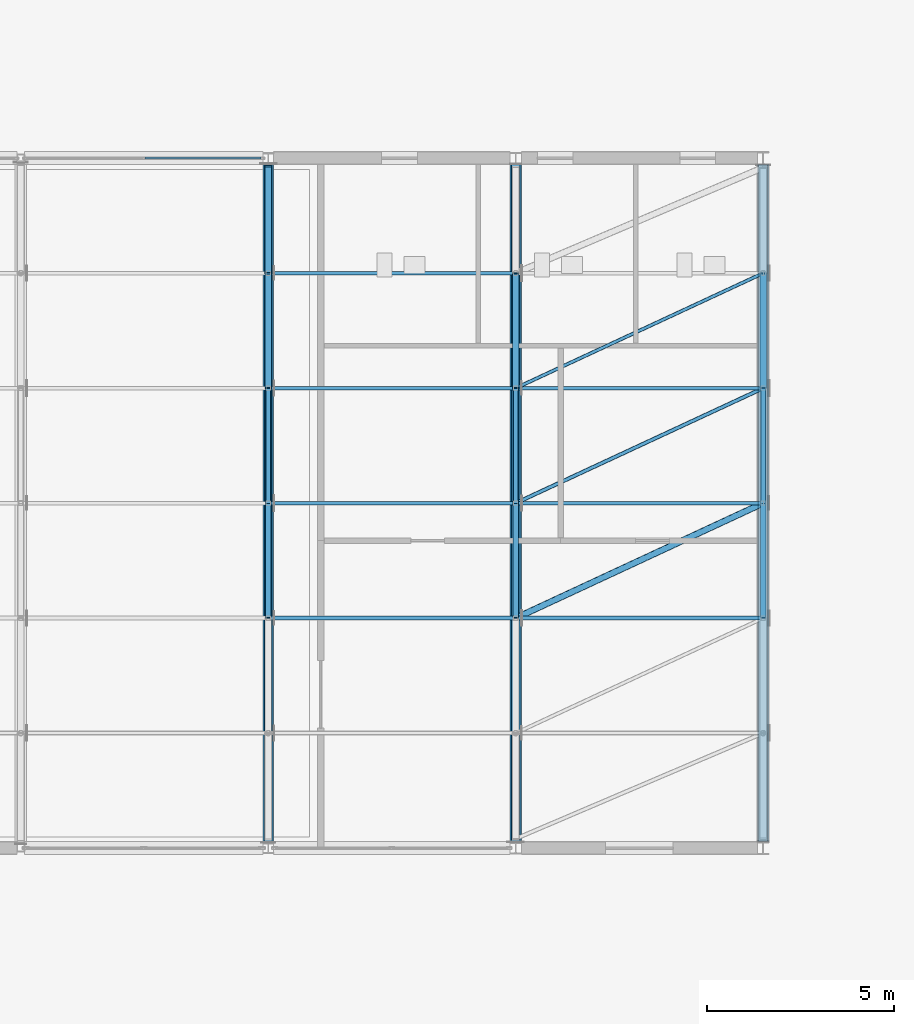
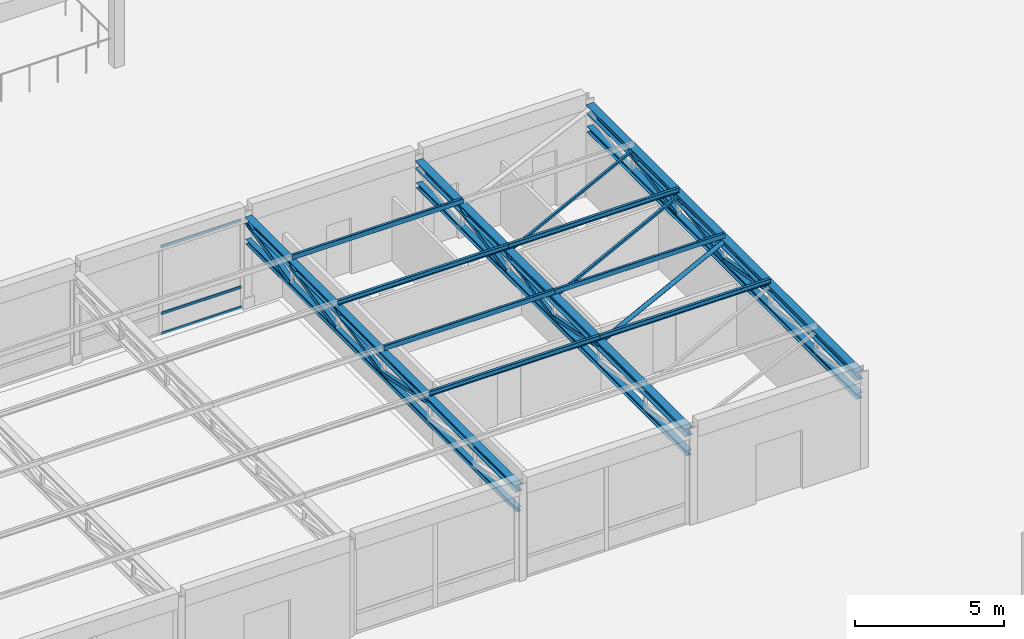
# One storey, part 28 of 92: 23 members, 6 beams, 1 element without a shape of its own.
"""IFC4 building model written with IfcOpenShell, lengths in metres."""

from ifc_helpers import new_model, si_unit, direction, frame, origin, origin_2d, place, context, subcontext, project, spatial, hollow_rectangle, hollow_circle, i_section, extrude, material, material_profile, profile_set, type_object, element, aggregate, save


model = new_model("IFC4")

# Units and contexts
model_context = context("Model", 3, precision=1e-05, world=origin(), true_north=direction((0.0, 1.0)))
body_context = subcontext(model_context, "Body", "Model", "MODEL_VIEW")
ifc_project = project(units=[si_unit("LENGTHUNIT", "METRE"), si_unit("AREAUNIT", "SQUARE_METRE"), si_unit("VOLUMEUNIT", "CUBIC_METRE"), si_unit("PLANEANGLEUNIT", "RADIAN"), si_unit("MASSUNIT", "GRAM", prefix="KILO")], contexts=[model_context])

# Site, building, storey
site_placement = place(None, origin())
site = spatial("IfcSite", under=ifc_project, at=site_placement, CompositionType="ELEMENT")
building_placement = place(site_placement, origin())
building = spatial("IfcBuilding", under=site, at=building_placement, Name="Kernevlak Ridge Housing Community", CompositionType="ELEMENT")
storey_placement = place(building_placement, frame((0.0, 0.0, 4.199951171875)))
storey = spatial("IfcBuildingStorey", under=building, at=storey_placement, Name="L01", CompositionType="ELEMENT", Elevation=4.199951171875)

# Members
ifc_material_1 = material(Name="Steel S355", Category="steel")
ifc_material_profile_1 = material_profile(ifc_material_1, hollow_rectangle(XDim=0.199951171875, YDim=0.199951171875, WallThickness=0.010009765625, InnerFilletRadius=0.010009765625, OuterFilletRadius=0.014892578125, at=origin_2d()), Name="SHS 200x200x10")
ifc_profile_set_1 = profile_set([ifc_material_profile_1], Name="Steel S355")
member_type_1 = type_object("IfcMemberType", Name="BR-01", PredefinedType="BRACE", material=ifc_profile_set_1)
member_1_placement = place(storey_placement, frame((90.60009765625, 65.13330078125, 2.844970703125), z_axis=(0.0, 0.975277256909, 0.220984778109), x_axis=(-1.0, 0.0, 0.0)))
element("IfcMember", 1, at=member_1_placement, inside=storey, type_object=member_type_1, Name="Community Hall roof truss 5 web diagonal 6", PredefinedType="BRACE", context=body_context, shape_type="SweptSolid", body=[
    extrude(hollow_rectangle(XDim=0.199951171875, YDim=0.199951171875, WallThickness=0.010009765625, InnerFilletRadius=0.010009765625, OuterFilletRadius=0.014892578125, at=origin_2d()), origin(), (0.0, 0.0, 1.0), 2.9189453125),
])
ifc_material_profile_2 = material_profile(ifc_material_1, hollow_rectangle(XDim=0.179931640625, YDim=0.179931640625, WallThickness=0.010009765625, InnerFilletRadius=0.010009765625, OuterFilletRadius=0.014892578125, at=origin_2d()), Name="SHS 180x180x10")
ifc_profile_set_2 = profile_set([ifc_material_profile_2], Name="Steel S355")
member_type_2 = type_object("IfcMemberType", Name="BR-02", PredefinedType="BRACE", material=ifc_profile_set_2)
member_2_placement = place(storey_placement, frame((90.60009765625, 62.066650390625, 2.844970703125), z_axis=(0.0, 0.978587791815, 0.205829865932), x_axis=(-1.0, 0.0, 0.0)))
element("IfcMember", 2, at=member_2_placement, inside=storey, type_object=member_type_2, Name="Community Hall roof truss 5 web diagonal 5", PredefinedType="BRACE", context=body_context, shape_type="SweptSolid", body=[
    extrude(hollow_rectangle(XDim=0.179931640625, YDim=0.179931640625, WallThickness=0.010009765625, InnerFilletRadius=0.010009765625, OuterFilletRadius=0.014892578125, at=origin_2d()), origin(), (0.0, 0.0, 1.0), 3.1337890625),
])
member_3_placement = place(storey_placement, frame((97.199951171875, 62.066650390625, 2.85498046875), z_axis=(0.0, 0.981694621235, 0.190461730113), x_axis=(-1.0, 0.0, 0.0)))
element("IfcMember", 3, at=member_3_placement, inside=storey, type_object=member_type_2, Name="Community Hall roof truss 6 web diagonal 5", PredefinedType="BRACE", context=body_context, shape_type="SweptSolid", body=[
    extrude(hollow_rectangle(XDim=0.179931640625, YDim=0.179931640625, WallThickness=0.010009765625, InnerFilletRadius=0.010009765625, OuterFilletRadius=0.014892578125, at=origin_2d()), origin(), (0.0, 0.0, 1.0), 3.123779296875),
])
member_4_placement = place(storey_placement, frame((103.800048828125, 62.066650390625, 2.864990234375), z_axis=(0.0, 0.984563408291, 0.175028269303), x_axis=(-1.0, 0.0, 0.0)))
element("IfcMember", 4, at=member_4_placement, inside=storey, type_object=member_type_2, Name="Community Hall roof truss 7 web diagonal 5", PredefinedType="BRACE", context=body_context, shape_type="SweptSolid", body=[
    extrude(hollow_rectangle(XDim=0.179931640625, YDim=0.179931640625, WallThickness=0.010009765625, InnerFilletRadius=0.010009765625, OuterFilletRadius=0.014892578125, at=origin_2d()), origin(), (0.0, 0.0, 1.0), 3.11474609375),
])
ifc_material_profile_3 = material_profile(ifc_material_1, hollow_rectangle(XDim=0.14990234375, YDim=0.14990234375, WallThickness=0.008056640625, InnerFilletRadius=0.008056640625, OuterFilletRadius=0.011962890625, at=origin_2d()), Name="SHS 150x150x8")
ifc_profile_set_3 = profile_set([ifc_material_profile_3], Name="Steel S355")
member_type_3 = type_object("IfcMemberType", Name="BR-03", PredefinedType="BRACE", material=ifc_profile_set_3)
member_5_placement = place(storey_placement, frame((90.60009765625, 55.933349609375, 3.489990234375), z_axis=(0.0, 0.978587791815, -0.205829865932), x_axis=(-1.0, 0.0, 0.0)))
element("IfcMember", 5, at=member_5_placement, inside=storey, type_object=member_type_3, Name="Community Hall roof truss 5 web diagonal 3", PredefinedType="BRACE", context=body_context, shape_type="SweptSolid", body=[
    extrude(hollow_rectangle(XDim=0.14990234375, YDim=0.14990234375, WallThickness=0.008056640625, InnerFilletRadius=0.008056640625, OuterFilletRadius=0.011962890625, at=origin_2d()), origin(), (0.0, 0.0, 1.0), 3.1337890625),
])
member_6_placement = place(storey_placement, frame((97.199951171875, 55.933349609375, 3.449951171875), z_axis=(0.0, 0.981694621235, -0.190461730113), x_axis=(-1.0, 0.0, 0.0)))
element("IfcMember", 6, at=member_6_placement, inside=storey, type_object=member_type_3, Name="Community Hall roof truss 6 web diagonal 3", PredefinedType="BRACE", context=body_context, shape_type="SweptSolid", body=[
    extrude(hollow_rectangle(XDim=0.14990234375, YDim=0.14990234375, WallThickness=0.008056640625, InnerFilletRadius=0.008056640625, OuterFilletRadius=0.011962890625, at=origin_2d()), origin(), (0.0, 0.0, 1.0), 3.123779296875),
])
member_7_placement = place(storey_placement, frame((103.800048828125, 55.933349609375, 3.41015625), z_axis=(0.0, 0.984563408291, -0.175028269303), x_axis=(-1.0, 0.0, 0.0)))
element("IfcMember", 7, at=member_7_placement, inside=storey, type_object=member_type_3, Name="Community Hall roof truss 7 web diagonal 3", PredefinedType="BRACE", context=body_context, shape_type="SweptSolid", body=[
    extrude(hollow_rectangle(XDim=0.14990234375, YDim=0.14990234375, WallThickness=0.008056640625, InnerFilletRadius=0.008056640625, OuterFilletRadius=0.011962890625, at=origin_2d()), origin(), (0.0, 0.0, 1.0), 3.11474609375),
])
ifc_material_profile_4 = material_profile(ifc_material_1, hollow_rectangle(XDim=0.139892578125, YDim=0.139892578125, WallThickness=0.008056640625, InnerFilletRadius=0.008056640625, OuterFilletRadius=0.011962890625, at=origin_2d()), Name="SHS 140x140x8")
ifc_profile_set_4 = profile_set([ifc_material_profile_4], Name="Steel S355")
member_type_4 = type_object("IfcMemberType", Name="BR-04", PredefinedType="BRACE", material=ifc_profile_set_4)
member_8_placement = place(storey_placement, frame((90.60009765625, 59.0, 2.844970703125), z_axis=(0.0, 0.978587791815, 0.205829865932), x_axis=(-1.0, 0.0, 0.0)))
element("IfcMember", 8, at=member_8_placement, inside=storey, type_object=member_type_4, Name="Community Hall roof truss 5 web diagonal 4", PredefinedType="BRACE", context=body_context, shape_type="SweptSolid", body=[
    extrude(hollow_rectangle(XDim=0.139892578125, YDim=0.139892578125, WallThickness=0.008056640625, InnerFilletRadius=0.008056640625, OuterFilletRadius=0.011962890625, at=origin_2d()), origin(), (0.0, 0.0, 1.0), 3.1337890625),
])
member_9_placement = place(storey_placement, frame((97.199951171875, 59.0, 2.85498046875), z_axis=(0.0, 0.981694621235, 0.190461730113), x_axis=(-1.0, 0.0, 0.0)))
element("IfcMember", 9, at=member_9_placement, inside=storey, type_object=member_type_4, Name="Community Hall roof truss 6 web diagonal 4", PredefinedType="BRACE", context=body_context, shape_type="SweptSolid", body=[
    extrude(hollow_rectangle(XDim=0.139892578125, YDim=0.139892578125, WallThickness=0.008056640625, InnerFilletRadius=0.008056640625, OuterFilletRadius=0.011962890625, at=origin_2d()), origin(), (0.0, 0.0, 1.0), 3.123779296875),
])
member_10_placement = place(storey_placement, frame((103.800048828125, 59.0, 2.864990234375), z_axis=(0.0, 0.984563408291, 0.175028269303), x_axis=(-1.0, 0.0, 0.0)))
element("IfcMember", 10, at=member_10_placement, inside=storey, type_object=member_type_4, Name="Community Hall roof truss 7 web diagonal 4", PredefinedType="BRACE", context=body_context, shape_type="SweptSolid", body=[
    extrude(hollow_rectangle(XDim=0.139892578125, YDim=0.139892578125, WallThickness=0.008056640625, InnerFilletRadius=0.008056640625, OuterFilletRadius=0.011962890625, at=origin_2d()), origin(), (0.0, 0.0, 1.0), 3.11474609375),
])
ifc_material_profile_5 = material_profile(ifc_material_1, hollow_rectangle(XDim=0.10009765625, YDim=0.10009765625, WallThickness=0.006103515625, InnerFilletRadius=0.006103515625, OuterFilletRadius=0.009033203125, at=origin_2d()), Name="SHS 100x100x6")
ifc_profile_set_5 = profile_set([ifc_material_profile_5], Name="Steel S355")
member_type_5 = type_object("IfcMemberType", Name="BR-06", PredefinedType="BRACE", material=ifc_profile_set_5)
member_11_placement = place(storey_placement, frame((97.199951171875, 59.0, 3.625), z_axis=(0.906887206183, 0.42137346293, 0.0), x_axis=(-0.42137346293, 0.906887206183, 0.0)))
element("IfcMember", 11, at=member_11_placement, inside=storey, type_object=member_type_5, Name="Roof lateral wind brace 6.4", PredefinedType="BRACE", context=body_context, shape_type="SweptSolid", body=[
    extrude(hollow_rectangle(XDim=0.10009765625, YDim=0.10009765625, WallThickness=0.006103515625, InnerFilletRadius=0.006103515625, OuterFilletRadius=0.009033203125, at=origin_2d()), origin(), (0.0, 0.0, 1.0), 7.27783203125),
])
ifc_material_profile_6 = material_profile(ifc_material_1, hollow_rectangle(XDim=0.090087890625, YDim=0.090087890625, WallThickness=0.0048828125, InnerFilletRadius=0.0048828125, OuterFilletRadius=0.007568359375, at=origin_2d()), Name="SHS 90x90x5")
ifc_profile_set_6 = profile_set([ifc_material_profile_6], Name="Steel S355")
member_type_6 = type_object("IfcMemberType", Name="BR-07", PredefinedType="BRACE", material=ifc_profile_set_6)
member_12_placement = place(storey_placement, frame((97.199951171875, 62.066650390625, 3.625), z_axis=(0.906887206183, 0.42137346293, 0.0), x_axis=(-0.42137346293, 0.906887206183, 0.0)))
element("IfcMember", 12, at=member_12_placement, inside=storey, type_object=member_type_6, Name="Roof lateral wind brace 6.5", PredefinedType="BRACE", context=body_context, shape_type="SweptSolid", body=[
    extrude(hollow_rectangle(XDim=0.090087890625, YDim=0.090087890625, WallThickness=0.0048828125, InnerFilletRadius=0.0048828125, OuterFilletRadius=0.007568359375, at=origin_2d()), origin(), (0.0, 0.0, 1.0), 7.27783203125),
])
ifc_material_profile_7 = material_profile(ifc_material_1, hollow_circle(Radius=0.084228515625, WallThickness=0.008056640625, at=origin_2d()), Name="CHS 168.3x8")
ifc_profile_set_7 = profile_set([ifc_material_profile_7], Name="Steel S355")
member_type_7 = type_object("IfcMemberType", Name="BR-08", PredefinedType="BRACE", material=ifc_profile_set_7)
member_13_placement = place(storey_placement, frame((97.199951171875, 55.933349609375, 3.625), z_axis=(0.906887206183, 0.42137346293, 0.0), x_axis=(-0.42137346293, 0.906887206183, 0.0)))
element("IfcMember", 13, at=member_13_placement, inside=storey, type_object=member_type_7, Name="Roof lateral wind brace 6.3", PredefinedType="BRACE", context=body_context, shape_type="SweptSolid", body=[
    extrude(hollow_circle(Radius=0.084228515625, WallThickness=0.008056640625, at=origin_2d()), origin(), (0.0, 0.0, 1.0), 7.27783203125),
])
ifc_material_profile_8 = material_profile(ifc_material_1, i_section(OverallWidth=0.10009765625, OverallDepth=0.199951171875, WebThickness=0.005615234375, FlangeThickness=0.008544921875, FilletRadius=0.011962890625, at=origin_2d()), Name="IPE 200")
ifc_profile_set_8 = profile_set([ifc_material_profile_8], Name="Steel S355")
member_type_8 = type_object("IfcMemberType", Name="PU-01", PredefinedType="PURLIN", material=ifc_profile_set_8)
for number, where, z_axis, x_axis, name in (
    (14, (90.60009765625, 55.933349609375, 3.860107421875), (1.0, 0.0, 0.0), (0.0, 1.0, 0.0), "Community Hall steel roof purlin 5.3"),
    (15, (90.60009765625, 62.066650390625, 3.860107421875), (1.0, 0.0, 0.0), (0.0, 1.0, 0.0), "Community Hall steel roof purlin 5.5"),
):
    element("IfcMember", number, at=place(storey_placement, frame(where, z_axis=z_axis, x_axis=x_axis)), inside=storey, type_object=member_type_8, Name=name, PredefinedType="PURLIN", context=body_context, shape_type="SweptSolid", body=[
        extrude(i_section(OverallWidth=0.10009765625, OverallDepth=0.199951171875, WebThickness=0.005615234375, FlangeThickness=0.008544921875, FilletRadius=0.011962890625, at=origin_2d()), origin(), (0.0, 0.0, 1.0), 6.599853515625),
    ])
for number, where, z_axis, x_axis, name in (
    (16, (97.199951171875, 55.933349609375, 3.860107421875), (1.0, 0.0, 0.0), (0.0, 1.0, 0.0), "Community Hall steel roof purlin 6.3"),
    (17, (97.199951171875, 62.066650390625, 3.860107421875), (1.0, 0.0, 0.0), (0.0, 1.0, 0.0), "Community Hall steel roof purlin 6.5"),
):
    element("IfcMember", number, at=place(storey_placement, frame(where, z_axis=z_axis, x_axis=x_axis)), inside=storey, type_object=member_type_8, Name=name, PredefinedType="PURLIN", context=body_context, shape_type="SweptSolid", body=[
        extrude(i_section(OverallWidth=0.10009765625, OverallDepth=0.199951171875, WebThickness=0.005615234375, FlangeThickness=0.008544921875, FilletRadius=0.011962890625, at=origin_2d()), origin(), (0.0, 0.0, 1.0), 6.60009765625),
    ])
ifc_material_profile_9 = material_profile(ifc_material_1, hollow_rectangle(XDim=0.10009765625, YDim=0.199951171875, WallThickness=0.008056640625, InnerFilletRadius=0.008056640625, OuterFilletRadius=0.011962890625, at=origin_2d()), Name="RHS 200x100x8")
ifc_profile_set_9 = profile_set([ifc_material_profile_9], Name="Steel S355")
member_type_9 = type_object("IfcMemberType", Name="PU-05", PredefinedType="PURLIN", material=ifc_profile_set_9)
for number, where, z_axis, x_axis, name in (
    (18, (90.60009765625, 59.0, 3.860107421875), (1.0, 0.0, 0.0), (0.0, 1.0, 0.0), "Community Hall steel roof purlin 5.4"),
    (19, (90.60009765625, 65.13330078125, 3.860107421875), (1.0, 0.0, 0.0), (0.0, 1.0, 0.0), "Community Hall steel roof purlin 5.6"),
):
    element("IfcMember", number, at=place(storey_placement, frame(where, z_axis=z_axis, x_axis=x_axis)), inside=storey, type_object=member_type_9, Name=name, PredefinedType="PURLIN", context=body_context, shape_type="SweptSolid", body=[
        extrude(hollow_rectangle(XDim=0.10009765625, YDim=0.199951171875, WallThickness=0.008056640625, InnerFilletRadius=0.008056640625, OuterFilletRadius=0.011962890625, at=origin_2d()), origin(), (0.0, 0.0, 1.0), 6.599853515625),
    ])
member_14_placement = place(storey_placement, frame((97.199951171875, 59.0, 3.860107421875), z_axis=(1.0, 0.0, 0.0), x_axis=(0.0, 1.0, 0.0)))
element("IfcMember", 20, at=member_14_placement, inside=storey, type_object=member_type_9, Name="Community Hall steel roof purlin 6.4", PredefinedType="PURLIN", context=body_context, shape_type="SweptSolid", body=[
    extrude(hollow_rectangle(XDim=0.10009765625, YDim=0.199951171875, WallThickness=0.008056640625, InnerFilletRadius=0.008056640625, OuterFilletRadius=0.011962890625, at=origin_2d()), origin(), (0.0, 0.0, 1.0), 6.60009765625),
])

# Beams
ifc_material_profile_10 = material_profile(ifc_material_1, i_section(OverallWidth=0.300048828125, OverallDepth=0.35009765625, WebThickness=0.010009765625, FlangeThickness=0.017578125, FilletRadius=0.027099609375, at=origin_2d()), Name="HEA 360")
ifc_profile_set_10 = profile_set([ifc_material_profile_10], Name="Steel S355")
beam_type_1 = type_object("IfcBeamType", Name="TC-01", PredefinedType="BEAM", material=ifc_profile_set_10)
beam_1_placement = place(storey_placement, frame((103.800048828125, 49.969970703125, 3.5849609375), z_axis=(0.0, 1.0, 0.0), x_axis=(-1.0, 0.0, 0.0)))
element("IfcBeam", 21, at=beam_1_placement, inside=storey, type_object=beam_type_1, Name="Community Hall roof truss 7 top chord", PredefinedType="BEAM", context=body_context, shape_type="SweptSolid", body=[
    extrude(i_section(OverallWidth=0.300048828125, OverallDepth=0.35009765625, WebThickness=0.010009765625, FlangeThickness=0.017578125, FilletRadius=0.027099609375, at=origin_2d()), origin(), (0.0, 0.0, 1.0), 18.06005859375),
])
ifc_material_profile_11 = material_profile(ifc_material_1, i_section(OverallWidth=0.300048828125, OverallDepth=0.31005859375, WebThickness=0.009033203125, FlangeThickness=0.015380859375, FilletRadius=0.027099609375, at=origin_2d()), Name="HEA 320")
ifc_profile_set_11 = profile_set([ifc_material_profile_11], Name="Steel S355")
beam_type_2 = type_object("IfcBeamType", Name="TC-02", PredefinedType="BEAM", material=ifc_profile_set_11)
beam_2_placement = place(storey_placement, frame((97.199951171875, 49.949951171875, 3.60498046875), z_axis=(0.0, 1.0, 0.0), x_axis=(-1.0, 0.0, 0.0)))
element("IfcBeam", 22, at=beam_2_placement, inside=storey, type_object=beam_type_2, Name="Community Hall roof truss 6 top chord", PredefinedType="BEAM", context=body_context, shape_type="SweptSolid", body=[
    extrude(i_section(OverallWidth=0.300048828125, OverallDepth=0.31005859375, WebThickness=0.009033203125, FlangeThickness=0.015380859375, FilletRadius=0.027099609375, at=origin_2d()), origin(), (0.0, 0.0, 1.0), 18.10009765625),
])
ifc_material_profile_12 = material_profile(ifc_material_1, i_section(OverallWidth=0.280029296875, OverallDepth=0.27001953125, WebThickness=0.008056640625, FlangeThickness=0.012939453125, FilletRadius=0.02392578125, at=origin_2d()), Name="HEA 280")
ifc_profile_set_12 = profile_set([ifc_material_profile_12], Name="Steel S355")
beam_type_3 = type_object("IfcBeamType", Name="TC-03", PredefinedType="BEAM", material=ifc_profile_set_12)
beam_3_placement = place(storey_placement, frame((90.60009765625, 49.93994140625, 3.625), z_axis=(0.0, 1.0, 0.0), x_axis=(-1.0, 0.0, 0.0)))
element("IfcBeam", 23, at=beam_3_placement, inside=storey, type_object=beam_type_3, Name="Community Hall roof truss 5 top chord", PredefinedType="BEAM", context=body_context, shape_type="SweptSolid", body=[
    extrude(i_section(OverallWidth=0.280029296875, OverallDepth=0.27001953125, WebThickness=0.008056640625, FlangeThickness=0.012939453125, FilletRadius=0.02392578125, at=origin_2d()), origin(), (0.0, 0.0, 1.0), 18.1201171875),
])
ifc_material_profile_13 = material_profile(ifc_material_1, i_section(OverallWidth=0.239990234375, OverallDepth=0.22998046875, WebThickness=0.007568359375, FlangeThickness=0.011962890625, FilletRadius=0.02099609375, at=origin_2d()), Name="HEA 240")
ifc_profile_set_13 = profile_set([ifc_material_profile_13], Name="Steel S355")
beam_type_4 = type_object("IfcBeamType", Name="TC-04", PredefinedType="BEAM", material=ifc_profile_set_13)
beam_4_placement = place(storey_placement, frame((103.800048828125, 49.969970703125, 2.75), z_axis=(0.0, 1.0, 0.0), x_axis=(-1.0, 0.0, 0.0)))
element("IfcBeam", 24, at=beam_4_placement, inside=storey, type_object=beam_type_4, Name="Community Hall roof truss 7 bottom chord", PredefinedType="BEAM", context=body_context, shape_type="SweptSolid", body=[
    extrude(i_section(OverallWidth=0.239990234375, OverallDepth=0.22998046875, WebThickness=0.007568359375, FlangeThickness=0.011962890625, FilletRadius=0.02099609375, at=origin_2d()), origin(), (0.0, 0.0, 1.0), 18.06005859375),
])
ifc_material_profile_14 = material_profile(ifc_material_1, i_section(OverallWidth=0.219970703125, OverallDepth=0.2099609375, WebThickness=0.007080078125, FlangeThickness=0.010986328125, FilletRadius=0.01806640625, at=origin_2d()), Name="HEA 220")
ifc_profile_set_14 = profile_set([ifc_material_profile_14], Name="Steel S355")
beam_type_5 = type_object("IfcBeamType", Name="TC-05", PredefinedType="BEAM", material=ifc_profile_set_14)
beam_5_placement = place(storey_placement, frame((97.199951171875, 49.949951171875, 2.75), z_axis=(0.0, 1.0, 0.0), x_axis=(-1.0, 0.0, 0.0)))
element("IfcBeam", 25, at=beam_5_placement, inside=storey, type_object=beam_type_5, Name="Community Hall roof truss 6 bottom chord", PredefinedType="BEAM", context=body_context, shape_type="SweptSolid", body=[
    extrude(i_section(OverallWidth=0.219970703125, OverallDepth=0.2099609375, WebThickness=0.007080078125, FlangeThickness=0.010986328125, FilletRadius=0.01806640625, at=origin_2d()), origin(), (0.0, 0.0, 1.0), 18.10009765625),
])
ifc_material_profile_15 = material_profile(ifc_material_1, i_section(OverallWidth=0.199951171875, OverallDepth=0.18994140625, WebThickness=0.006591796875, FlangeThickness=0.010009765625, FilletRadius=0.01806640625, at=origin_2d()), Name="HEA 200")
ifc_profile_set_15 = profile_set([ifc_material_profile_15], Name="Steel S355")
beam_type_6 = type_object("IfcBeamType", Name="TC-06", PredefinedType="BEAM", material=ifc_profile_set_15)
beam_6_placement = place(storey_placement, frame((90.60009765625, 49.93994140625, 2.75), z_axis=(0.0, 1.0, 0.0), x_axis=(-1.0, 0.0, 0.0)))
element("IfcBeam", 26, at=beam_6_placement, inside=storey, type_object=beam_type_6, Name="Community Hall roof truss 5 bottom chord", PredefinedType="BEAM", context=body_context, shape_type="SweptSolid", body=[
    extrude(i_section(OverallWidth=0.199951171875, OverallDepth=0.18994140625, WebThickness=0.006591796875, FlangeThickness=0.010009765625, FilletRadius=0.01806640625, at=origin_2d()), origin(), (0.0, 0.0, 1.0), 18.1201171875),
])

# Curtain wall, members
ifc_material_2 = material(Name="Aluminium EN AW-6060 anodised and laminated glass", Category="aluminium")
curtain_wall_type = type_object("IfcCurtainWallType", Name="CW-13", PredefinedType="NOTDEFINED", material=ifc_material_2)
curtain_wall_placement = place(storey_placement, origin())
curtain_wall = element("IfcCurtainWall", 27, at=curtain_wall_placement, inside=storey, type_object=curtain_wall_type, Name="Curtain wall CW-13 CW-L01-180", PredefinedType="NOTDEFINED")
ifc_material_3 = material(Name="Aluminium EN AW-6060 anodised", Category="aluminium")
ifc_material_profile_16 = material_profile(ifc_material_3, hollow_rectangle(XDim=0.054931640625, YDim=0.110107421875, WallThickness=0.00390625, InnerFilletRadius=0.001953125, OuterFilletRadius=0.00390625, at=origin_2d()), Name="ALU 55x110x4")
ifc_profile_set_16 = profile_set([ifc_material_profile_16], Name="Aluminium EN AW-6060 anodised")
member_type_10 = type_object("IfcMemberType", Name="TM-01", PredefinedType="USERDEFINED", material=ifc_profile_set_16)
member_15_placement = place(storey_placement, frame((87.3076171875, 68.199951171875, 0.027587890625), z_axis=(1.0, 0.0, 0.0), x_axis=(0.0, 1.0, 0.0)))
member_15 = element("IfcMember", 28, at=member_15_placement, type_object=member_type_10, Name="CW-13 transom 2.1", ObjectType="TRANSOM", PredefinedType="USERDEFINED", context=body_context, shape_type="SweptSolid", body=[
    extrude(hollow_rectangle(XDim=0.054931640625, YDim=0.110107421875, WallThickness=0.00390625, InnerFilletRadius=0.001953125, OuterFilletRadius=0.00390625, at=origin_2d()), origin(), (0.0, 0.0, 1.0), 3.097412109375),
])
member_16_placement = place(storey_placement, frame((87.3076171875, 68.199951171875, 0.85009765625), z_axis=(1.0, 0.0, 0.0), x_axis=(0.0, 1.0, 0.0)))
member_16 = element("IfcMember", 29, at=member_16_placement, type_object=member_type_10, Name="CW-13 transom 2.2", ObjectType="TRANSOM", PredefinedType="USERDEFINED", context=body_context, shape_type="SweptSolid", body=[
    extrude(hollow_rectangle(XDim=0.054931640625, YDim=0.110107421875, WallThickness=0.00390625, InnerFilletRadius=0.001953125, OuterFilletRadius=0.00390625, at=origin_2d()), origin(), (0.0, 0.0, 1.0), 3.097412109375),
])
member_17_placement = place(storey_placement, frame((87.3076171875, 68.199951171875, 3.572509765625), z_axis=(1.0, 0.0, 0.0), x_axis=(0.0, 1.0, 0.0)))
member_17 = element("IfcMember", 30, at=member_17_placement, type_object=member_type_10, Name="CW-13 transom 2.3", ObjectType="TRANSOM", PredefinedType="USERDEFINED", context=body_context, shape_type="SweptSolid", body=[
    extrude(hollow_rectangle(XDim=0.054931640625, YDim=0.110107421875, WallThickness=0.00390625, InnerFilletRadius=0.001953125, OuterFilletRadius=0.00390625, at=origin_2d()), origin(), (0.0, 0.0, 1.0), 3.097412109375),
])
aggregate(curtain_wall, [member_15, member_16, member_17])

save(model, "model.ifc")
